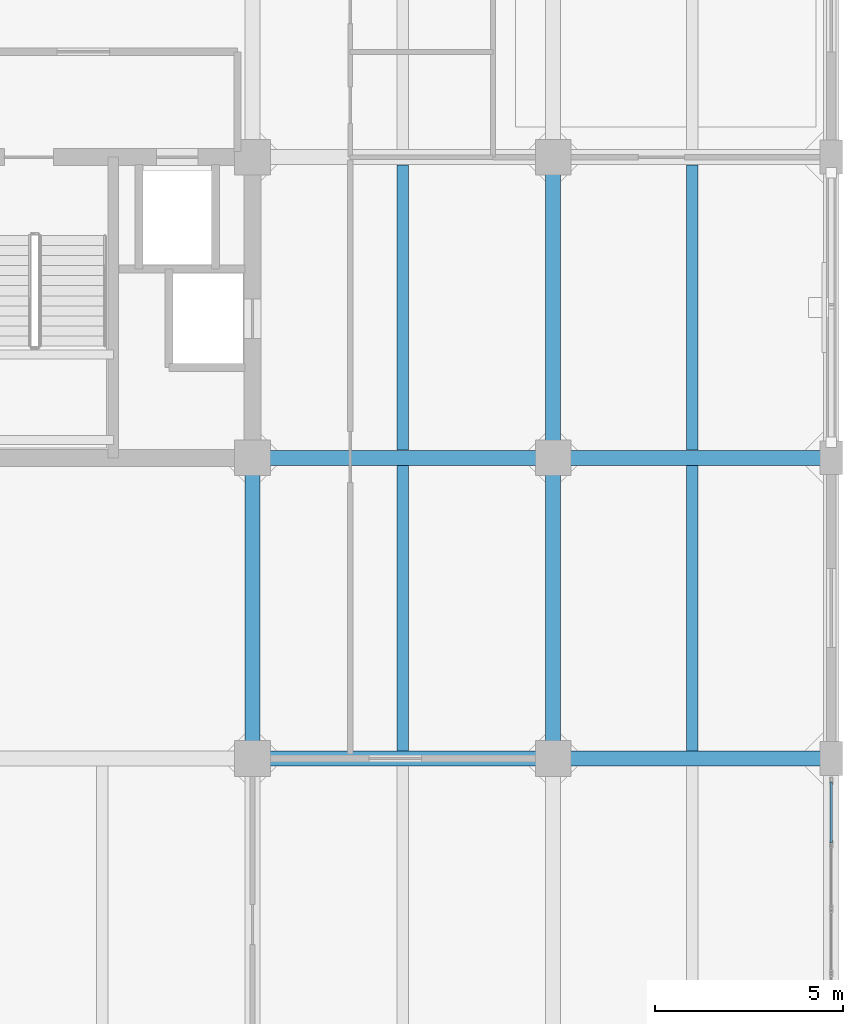
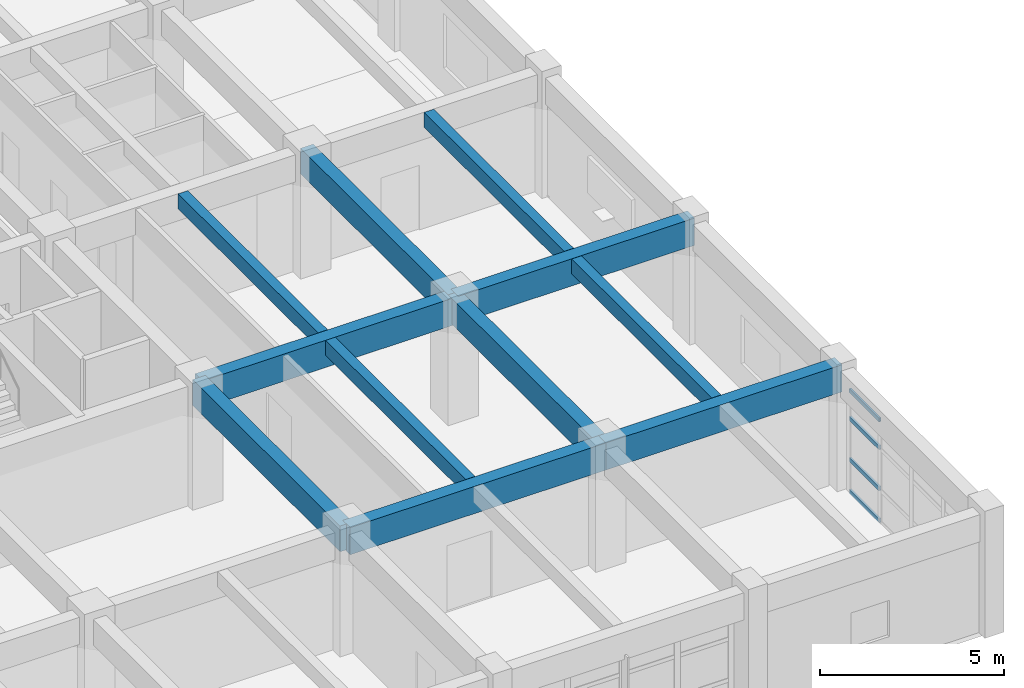
# One storey, part 14 of 35: 11 beams, 4 members, 1 element without a shape of its own.
"""IFC4 building model written with IfcOpenShell, lengths in metres."""

from ifc_helpers import new_model, si_unit, direction, frame, origin, origin_2d, place, context, subcontext, project, spatial, rectangle, hollow_rectangle, extrude, material, layer, layer_set, material_profile, profile_set, type_object, element, aggregate, save


model = new_model("IFC4")

# Units and contexts
model_context = context("Model", 3, precision=1e-05, world=origin(), true_north=direction((0.0, 1.0)))
body_context = subcontext(model_context, "Body", "Model", "MODEL_VIEW")
ifc_project = project(units=[si_unit("LENGTHUNIT", "METRE"), si_unit("AREAUNIT", "SQUARE_METRE"), si_unit("VOLUMEUNIT", "CUBIC_METRE"), si_unit("PLANEANGLEUNIT", "RADIAN"), si_unit("MASSUNIT", "GRAM", prefix="KILO")], contexts=[model_context])

# Site, building, storey
site_placement = place(None, origin())
site = spatial("IfcSite", under=ifc_project, at=site_placement, CompositionType="ELEMENT")
building_placement = place(site_placement, origin())
building = spatial("IfcBuilding", under=site, at=building_placement, Name="Canggui Botanical Conservatory", CompositionType="ELEMENT")
storey_placement = place(building_placement, frame((0.0, 0.0, 15.0)))
storey = spatial("IfcBuildingStorey", under=building, at=storey_placement, Name="L04", CompositionType="ELEMENT", Elevation=15.0)

# Beams
ifc_material_1 = material(Name="Concrete C35", Category="concrete")
ifc_material_profile_1 = material_profile(ifc_material_1, rectangle(XDim=0.300048828125, YDim=0.5, at=origin_2d()), Name="RB 300x500")
ifc_profile_set_1 = profile_set([ifc_material_profile_1], Name="Concrete C35")
beam_type_1 = type_object("IfcBeamType", Name="BM-JST02", PredefinedType="JOIST", material=ifc_profile_set_1)
for number, where, z_axis, x_axis, name in (
    (1, (166.0, 34.205078125, 3.699951171875), (0.0, 1.0, 0.0), (-1.0, 0.0, 0.0), "Secondary Floor Joist L04-4-2"),
    (2, (166.0, 42.205078125, 3.699951171875), (0.0, 1.0, 0.0), (-1.0, 0.0, 0.0), "Secondary Floor Joist L04-4-3"),
    (3, (173.699951171875, 34.205078125, 3.699951171875), (0.0, 1.0, 0.0), (-1.0, 0.0, 0.0), "Secondary Floor Joist L04-5-2"),
    (4, (173.699951171875, 42.205078125, 3.699951171875), (0.0, 1.0, 0.0), (-1.0, 0.0, 0.0), "Secondary Floor Joist L04-5-3"),
):
    element("IfcBeam", number, at=place(storey_placement, frame(where, z_axis=z_axis, x_axis=x_axis)), inside=storey, type_object=beam_type_1, Name=name, PredefinedType="JOIST", context=body_context, shape_type="SweptSolid", body=[
        extrude(rectangle(XDim=0.300048828125, YDim=0.5, at=origin_2d()), origin(), (0.0, 0.0, 1.0), 7.58984375),
    ])
ifc_material_profile_2 = material_profile(ifc_material_1, rectangle(XDim=0.39990234375, YDim=0.89990234375, at=origin_2d()), Name="RB 400x900")
ifc_profile_set_2 = profile_set([ifc_material_profile_2], Name="Concrete C35")
beam_type_2 = type_object("IfcBeamType", Name="BM-KL07", PredefinedType="BEAM", material=ifc_profile_set_2)
beam_1_placement = place(storey_placement, frame((162.0, 34.0, 3.5), z_axis=(1.0, 0.0, 0.0), x_axis=(0.0, 1.0, 0.0)))
element("IfcBeam", 5, at=beam_1_placement, inside=storey, type_object=beam_type_2, Name="Frame Girder L04 Y34-4", PredefinedType="BEAM", context=body_context, shape_type="SweptSolid", body=[
    extrude(rectangle(XDim=0.39990234375, YDim=0.89990234375, at=origin_2d()), origin(), (0.0, 0.0, 1.0), 8.0),
])
beam_2_placement = place(storey_placement, frame((170.0, 34.0, 3.5), z_axis=(1.0, 0.0, 0.0), x_axis=(0.0, 1.0, 0.0)))
element("IfcBeam", 6, at=beam_2_placement, inside=storey, type_object=beam_type_2, Name="Frame Girder L04 Y34-5", PredefinedType="BEAM", context=body_context, shape_type="SweptSolid", body=[
    extrude(rectangle(XDim=0.39990234375, YDim=0.89990234375, at=origin_2d()), origin(), (0.0, 0.0, 1.0), 7.39990234375),
])
beam_3_placement = place(storey_placement, frame((162.0, 42.0, 3.5), z_axis=(1.0, 0.0, 0.0), x_axis=(0.0, 1.0, 0.0)))
element("IfcBeam", 7, at=beam_3_placement, inside=storey, type_object=beam_type_2, Name="Frame Girder L04 Y42-4", PredefinedType="BEAM", context=body_context, shape_type="SweptSolid", body=[
    extrude(rectangle(XDim=0.39990234375, YDim=0.89990234375, at=origin_2d()), origin(), (0.0, 0.0, 1.0), 8.0),
])
beam_4_placement = place(storey_placement, frame((170.0, 42.0, 3.5), z_axis=(1.0, 0.0, 0.0), x_axis=(0.0, 1.0, 0.0)))
element("IfcBeam", 8, at=beam_4_placement, inside=storey, type_object=beam_type_2, Name="Frame Girder L04 Y42-5", PredefinedType="BEAM", context=body_context, shape_type="SweptSolid", body=[
    extrude(rectangle(XDim=0.39990234375, YDim=0.89990234375, at=origin_2d()), origin(), (0.0, 0.0, 1.0), 7.39990234375),
])
ifc_material_profile_3 = material_profile(ifc_material_1, rectangle(XDim=0.39990234375, YDim=0.85009765625, at=origin_2d()), Name="RB 400x850")
ifc_profile_set_3 = profile_set([ifc_material_profile_3], Name="Concrete C35")
beam_type_3 = type_object("IfcBeamType", Name="BM-KL08", PredefinedType="BEAM", material=ifc_profile_set_3)
for number, where, z_axis, x_axis, name in (
    (9, (162.0, 34.0, 3.52490234375), (0.0, 1.0, 0.0), (-1.0, 0.0, 0.0), "Frame Girder L04 X162-2"),
    (10, (170.0, 34.0, 3.52490234375), (0.0, 1.0, 0.0), (-1.0, 0.0, 0.0), "Frame Girder L04 X170-2"),
    (11, (170.0, 42.0, 3.52490234375), (0.0, 1.0, 0.0), (-1.0, 0.0, 0.0), "Frame Girder L04 X170-3"),
):
    element("IfcBeam", number, at=place(storey_placement, frame(where, z_axis=z_axis, x_axis=x_axis)), inside=storey, type_object=beam_type_3, Name=name, PredefinedType="BEAM", context=body_context, shape_type="SweptSolid", body=[
        extrude(rectangle(XDim=0.39990234375, YDim=0.85009765625, at=origin_2d()), origin(), (0.0, 0.0, 1.0), 8.0),
    ])

# Curtain wall, members
ifc_material_2 = material(Name="Thermally Broken Aluminium", Category="aluminium")
ifc_layer = layer(ifc_material_2, 0.179931640625, Name="Thermally Broken Aluminium", Category="aluminium")
ifc_layer_set = layer_set([ifc_layer], Name="Thermally Broken Aluminium")
curtain_wall_type = type_object("IfcCurtainWallType", Name="CW-UNIT-A", PredefinedType="USERDEFINED", material=ifc_layer_set)
curtain_wall_placement = place(storey_placement, origin())
curtain_wall = element("IfcCurtainWall", 12, at=curtain_wall_placement, inside=storey, type_object=curtain_wall_type, Name="Facade Curtain Wall CW-TWR-L04-24", ObjectType="UNITISED CURTAIN WALL", PredefinedType="USERDEFINED")
ifc_material_profile_4 = material_profile(ifc_material_2, hollow_rectangle(XDim=0.06494140625, YDim=0.1298828125, WallThickness=0.00341796875, at=origin_2d()), Name="CWT 65x130x3.5")
ifc_profile_set_4 = profile_set([ifc_material_profile_4], Name="Thermally Broken Aluminium")
member_type = type_object("IfcMemberType", Name="CWT-01", PredefinedType="USERDEFINED", material=ifc_profile_set_4)
member_1_placement = place(storey_placement, frame((177.39990234375, 33.3701171875, 0.032470703125), z_axis=(0.0, -1.0, 0.0), x_axis=(1.0, 0.0, 0.0)))
member_1 = element("IfcMember", 13, at=member_1_placement, type_object=member_type, Name="CW-01 transom 1.1", ObjectType="TRANSOM", PredefinedType="USERDEFINED", context=body_context, shape_type="SweptSolid", body=[
    extrude(hollow_rectangle(XDim=0.06494140625, YDim=0.1298828125, WallThickness=0.00341796875, at=origin_2d()), origin(), (0.0, 0.0, 1.0), 1.615234375),
])
member_2_placement = place(storey_placement, frame((177.39990234375, 33.3701171875, 1.087890625), z_axis=(0.0, -1.0, 0.0), x_axis=(1.0, 0.0, 0.0)))
member_2 = element("IfcMember", 14, at=member_2_placement, type_object=member_type, Name="CW-01 transom 1.2", ObjectType="TRANSOM", PredefinedType="USERDEFINED", context=body_context, shape_type="SweptSolid", body=[
    extrude(hollow_rectangle(XDim=0.06494140625, YDim=0.1298828125, WallThickness=0.00341796875, at=origin_2d()), origin(), (0.0, 0.0, 1.0), 1.615234375),
])
member_3_placement = place(storey_placement, frame((177.39990234375, 33.3701171875, 2.447998046875), z_axis=(0.0, -1.0, 0.0), x_axis=(1.0, 0.0, 0.0)))
member_3 = element("IfcMember", 15, at=member_3_placement, type_object=member_type, Name="CW-01 transom 1.3", ObjectType="TRANSOM", PredefinedType="USERDEFINED", context=body_context, shape_type="SweptSolid", body=[
    extrude(hollow_rectangle(XDim=0.06494140625, YDim=0.1298828125, WallThickness=0.00341796875, at=origin_2d()), origin(), (0.0, 0.0, 1.0), 1.615234375),
])
member_4_placement = place(storey_placement, frame((177.39990234375, 33.3701171875, 3.367431640625), z_axis=(0.0, -1.0, 0.0), x_axis=(1.0, 0.0, 0.0)))
member_4 = element("IfcMember", 16, at=member_4_placement, type_object=member_type, Name="CW-01 transom 1.4", ObjectType="TRANSOM", PredefinedType="USERDEFINED", context=body_context, shape_type="SweptSolid", body=[
    extrude(hollow_rectangle(XDim=0.06494140625, YDim=0.1298828125, WallThickness=0.00341796875, at=origin_2d()), origin(), (0.0, 0.0, 1.0), 1.615234375),
])
aggregate(curtain_wall, [member_1, member_2, member_3, member_4])

save(model, "model.ifc")
